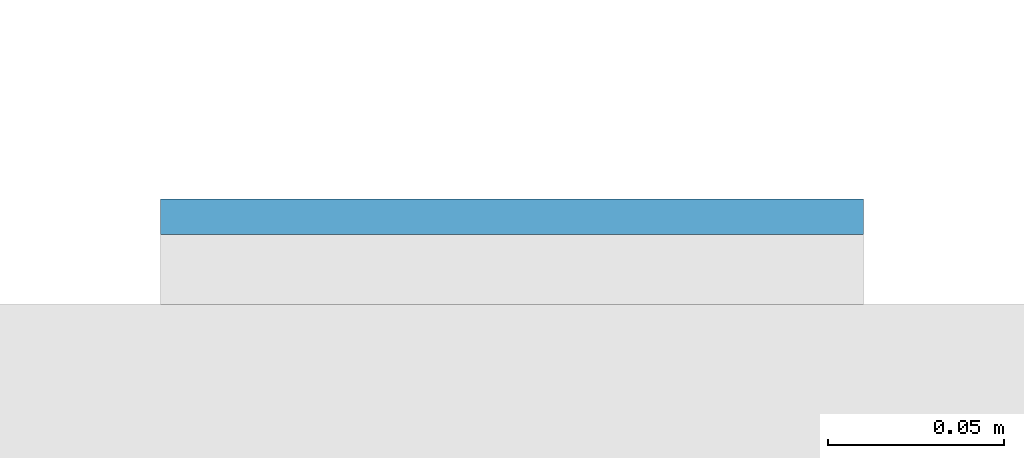
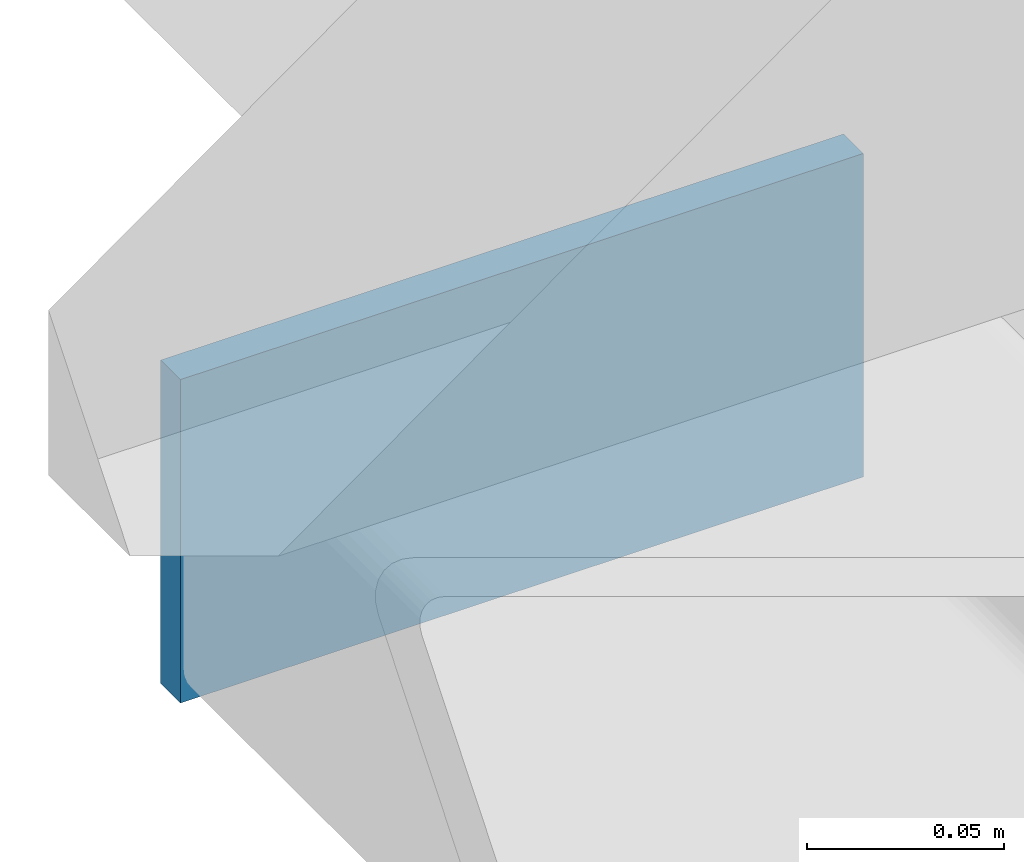
# One storey, part 11 of 22: 1 plate.
"""IFC4 building model written with IfcOpenShell, lengths in metres."""

from ifc_helpers import new_model, si_unit, direction, frame, origin, origin_2d, place, context, subcontext, project, spatial, rectangle, extrude, material, layer, layer_set, type_object, element, save


model = new_model("IFC4")

# Units and contexts
model_context = context("Model", 3, precision=1e-05, world=origin(), true_north=direction((0.0, 1.0)))
body_context = subcontext(model_context, "Body", "Model", "MODEL_VIEW")
ifc_project = project(units=[si_unit("LENGTHUNIT", "METRE"), si_unit("AREAUNIT", "SQUARE_METRE"), si_unit("VOLUMEUNIT", "CUBIC_METRE"), si_unit("PLANEANGLEUNIT", "RADIAN"), si_unit("MASSUNIT", "GRAM", prefix="KILO")], contexts=[model_context])

# Site, building, storey
site_placement = place(None, origin())
site = spatial("IfcSite", under=ifc_project, at=site_placement, CompositionType="ELEMENT")
building_placement = place(site_placement, origin())
building = spatial("IfcBuilding", under=site, at=building_placement, Name="Cleftline Residences", CompositionType="ELEMENT")
storey_placement = place(building_placement, frame((0.0, 0.0, 29.60009765625)))
storey = spatial("IfcBuildingStorey", under=building, at=storey_placement, Name="L06", CompositionType="ELEMENT", Elevation=29.60009765625)

# Plate
ifc_material = material(Name="Steel S355, hot-dip galvanised", Category="steel")
ifc_layer = layer(ifc_material, 0.010009765625)
ifc_layer_set = layer_set([ifc_layer], Name="BAGUETTE CARRIER END PLATE 200X100X10")
plate_type = type_object("IfcPlateType", Name="BAGUETTE CARRIER END PLATE 200X100X10", PredefinedType="USERDEFINED", material=ifc_layer_set)
plate_placement = place(storey_placement, frame((-0.85009765625, 44.304931640625, -0.10009765625), z_axis=(0.0, 0.0, 1.0), x_axis=(-1.0, 0.0, 0.0)))
element("IfcPlate", 1, at=plate_placement, inside=storey, type_object=plate_type, Name="Baguette carrier end plate", ObjectType="BAGUETTE CARRIER END PLATE", PredefinedType="USERDEFINED", context=body_context, shape_type="SweptSolid", body=[
    extrude(rectangle(XDim=0.199951171875, YDim=0.010009765625, at=origin_2d()), origin(), (0.0, 0.0, 1.0), 0.10009765625),
])

save(model, "model.ifc")
